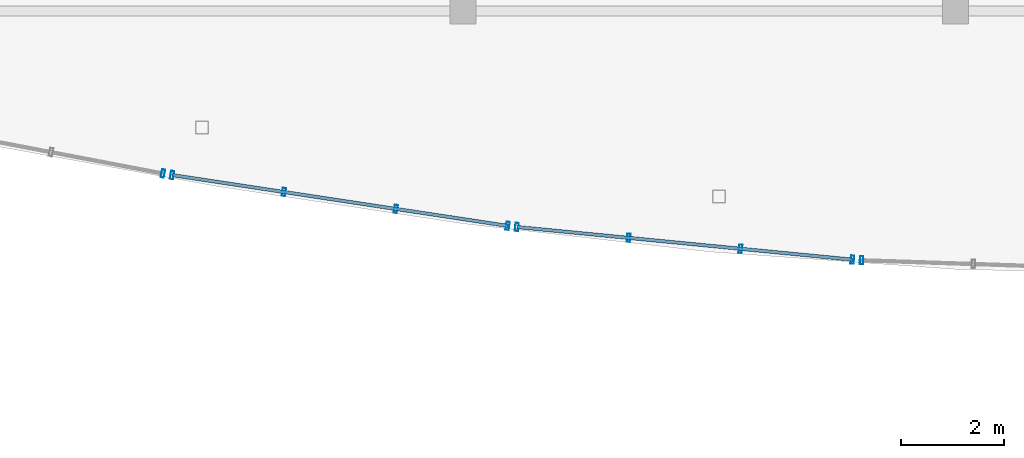
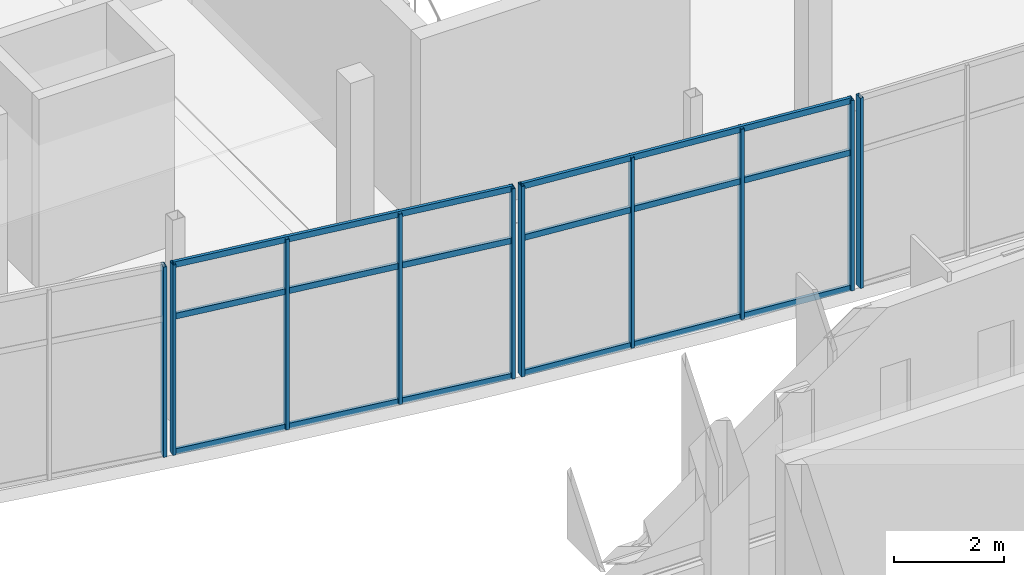
# One storey, part 42 of 114: 16 members, 4 elements without a shape of their own.
"""IFC4 building model written with IfcOpenShell, lengths in metres."""

from ifc_helpers import new_model, si_unit, direction, frame, origin, origin_2d, place, context, subcontext, project, spatial, hollow_rectangle, extrude, material, layer, layer_set, material_profile, profile_set, type_object, element, aggregate, save


model = new_model("IFC4")

# Units and contexts
model_context = context("Model", 3, precision=1e-05, world=origin(), true_north=direction((0.0, 1.0)))
body_context = subcontext(model_context, "Body", "Model", "MODEL_VIEW")
ifc_project = project(units=[si_unit("LENGTHUNIT", "METRE"), si_unit("AREAUNIT", "SQUARE_METRE"), si_unit("VOLUMEUNIT", "CUBIC_METRE"), si_unit("PLANEANGLEUNIT", "RADIAN"), si_unit("MASSUNIT", "GRAM", prefix="KILO")], contexts=[model_context])

# Site, building, storey
site_placement = place(None, origin())
site = spatial("IfcSite", under=ifc_project, at=site_placement, CompositionType="ELEMENT")
building_placement = place(site_placement, origin())
building = spatial("IfcBuilding", under=site, at=building_placement, Name="Chalmorin Arch Market", CompositionType="ELEMENT")
storey_placement = place(building_placement, frame((0.0, 0.0, 9.60009765625)))
storey = spatial("IfcBuildingStorey", under=building, at=storey_placement, Name="L02", CompositionType="ELEMENT", Elevation=9.60009765625)

# Curtain wall, member
ifc_material = material(Name="Aluminium 6063-T6", Category="aluminium")
ifc_layer_1 = layer(ifc_material, 0.159912109375)
ifc_layer_set_1 = layer_set([ifc_layer_1], Name="Aluminium 6063-T6")
curtain_wall_type_1 = type_object("IfcCurtainWallType", Name="CulinaryStudioCurtainWall-CW3-6660x4220", PredefinedType="NOTDEFINED", material=ifc_layer_set_1)
curtain_wall_1_placement = place(storey_placement, origin())
curtain_wall_1 = element("IfcCurtainWall", 1, at=curtain_wall_1_placement, inside=storey, type_object=curtain_wall_type_1, Name="CW-03-154", PredefinedType="NOTDEFINED")
ifc_material_profile_1 = material_profile(ifc_material, hollow_rectangle(XDim=0.06494140625, YDim=0.159912109375, WallThickness=0.00390625, at=origin_2d()), Name="ALU65X160X4")
ifc_profile_set_1 = profile_set([ifc_material_profile_1], Name="Aluminium 6063-T6")
member_type_1 = type_object("IfcMemberType", Name="CurtainWallMullion-65x160", PredefinedType="MULLION", material=ifc_profile_set_1)
member_1_placement = place(storey_placement, frame((61.3515625, 68.8330078125, 0.0), z_axis=(0.0, 0.0, 1.0), x_axis=(0.981627183448, -0.190808995377, 0.0)))
member_1 = element("IfcMember", 2, at=member_1_placement, type_object=member_type_1, Name="ML-154-04", PredefinedType="MULLION", context=body_context, shape_type="SweptSolid", body=[
    extrude(hollow_rectangle(XDim=0.06494140625, YDim=0.159912109375, WallThickness=0.00390625, at=origin_2d()), origin(), (0.0, 0.0, 1.0), 4.219970703125),
])
aggregate(curtain_wall_1, [member_1])

# Curtain wall, members
ifc_layer_2 = layer(ifc_material, 0.159912109375)
ifc_layer_set_2 = layer_set([ifc_layer_2], Name="Aluminium 6063-T6")
curtain_wall_type_2 = type_object("IfcCurtainWallType", Name="CulinaryStudioCurtainWall-CW3-6620x4220", PredefinedType="NOTDEFINED", material=ifc_layer_set_2)
curtain_wall_2_placement = place(storey_placement, origin())
curtain_wall_2 = element("IfcCurtainWall", 3, at=curtain_wall_2_placement, inside=storey, type_object=curtain_wall_type_2, Name="CW-03-157", PredefinedType="NOTDEFINED")
member_2_placement = place(storey_placement, frame((61.529052734375, 68.802490234375, 0.0), z_axis=(0.0, 0.0, 1.0), x_axis=(0.987688340595, -0.15643446504, 0.0)))
member_2 = element("IfcMember", 4, at=member_2_placement, type_object=member_type_1, Name="ML-157-01", PredefinedType="MULLION", context=body_context, shape_type="SweptSolid", body=[
    extrude(hollow_rectangle(XDim=0.06494140625, YDim=0.159912109375, WallThickness=0.00390625, at=origin_2d()), origin(), (0.0, 0.0, 1.0), 4.219970703125),
])
member_3_placement = place(storey_placement, frame((63.709716796875, 68.472412109375, 0.0), z_axis=(0.0, 0.0, 1.0), x_axis=(0.987688340595, -0.15643446504, 0.0)))
member_3 = element("IfcMember", 5, at=member_3_placement, type_object=member_type_1, Name="ML-157-02", PredefinedType="MULLION", context=body_context, shape_type="SweptSolid", body=[
    extrude(hollow_rectangle(XDim=0.06494140625, YDim=0.159912109375, WallThickness=0.00390625, at=origin_2d()), origin(), (0.0, 0.0, 1.0), 4.219970703125),
])
member_4_placement = place(storey_placement, frame((65.890380859375, 68.142578125, 0.0), z_axis=(0.0, 0.0, 1.0), x_axis=(0.987688340595, -0.15643446504, 0.0)))
member_4 = element("IfcMember", 6, at=member_4_placement, type_object=member_type_1, Name="ML-157-03", PredefinedType="MULLION", context=body_context, shape_type="SweptSolid", body=[
    extrude(hollow_rectangle(XDim=0.06494140625, YDim=0.159912109375, WallThickness=0.00390625, at=origin_2d()), origin(), (0.0, 0.0, 1.0), 4.219970703125),
])
member_5_placement = place(storey_placement, frame((68.071044921875, 67.8125, 0.0), z_axis=(0.0, 0.0, 1.0), x_axis=(0.987688340595, -0.15643446504, 0.0)))
member_5 = element("IfcMember", 7, at=member_5_placement, type_object=member_type_1, Name="ML-157-04", PredefinedType="MULLION", context=body_context, shape_type="SweptSolid", body=[
    extrude(hollow_rectangle(XDim=0.06494140625, YDim=0.159912109375, WallThickness=0.00390625, at=origin_2d()), origin(), (0.0, 0.0, 1.0), 4.219970703125),
])

ifc_layer_3 = layer(ifc_material, 0.159912109375)
ifc_layer_set_3 = layer_set([ifc_layer_3], Name="Aluminium 6063-T6")
curtain_wall_type_3 = type_object("IfcCurtainWallType", Name="CulinaryStudioCurtainWall-CW3-6570x4220", PredefinedType="NOTDEFINED", material=ifc_layer_set_3)
curtain_wall_3_placement = place(storey_placement, origin())
curtain_wall_3 = element("IfcCurtainWall", 8, at=curtain_wall_3_placement, inside=storey, type_object=curtain_wall_type_3, Name="CW-03-160", PredefinedType="NOTDEFINED")
member_6_placement = place(storey_placement, frame((68.24951171875, 67.790283203125, 0.0), z_axis=(0.0, 0.0, 1.0), x_axis=(0.994521895368, -0.104528463268, 0.0)))
member_6 = element("IfcMember", 9, at=member_6_placement, type_object=member_type_1, Name="ML-160-01", PredefinedType="MULLION", context=body_context, shape_type="SweptSolid", body=[
    extrude(hollow_rectangle(XDim=0.06494140625, YDim=0.159912109375, WallThickness=0.00390625, at=origin_2d()), origin(), (0.0, 0.0, 1.0), 4.219970703125),
])
member_7_placement = place(storey_placement, frame((70.429931640625, 67.578125, 0.0), z_axis=(0.0, 0.0, 1.0), x_axis=(0.994521895368, -0.104528463268, 0.0)))
member_7 = element("IfcMember", 10, at=member_7_placement, type_object=member_type_1, Name="ML-160-02", PredefinedType="MULLION", context=body_context, shape_type="SweptSolid", body=[
    extrude(hollow_rectangle(XDim=0.06494140625, YDim=0.159912109375, WallThickness=0.00390625, at=origin_2d()), origin(), (0.0, 0.0, 1.0), 4.219970703125),
])
member_8_placement = place(storey_placement, frame((72.610107421875, 67.365966796875, 0.0), z_axis=(0.0, 0.0, 1.0), x_axis=(0.994521895368, -0.104528463268, 0.0)))
member_8 = element("IfcMember", 11, at=member_8_placement, type_object=member_type_1, Name="ML-160-03", PredefinedType="MULLION", context=body_context, shape_type="SweptSolid", body=[
    extrude(hollow_rectangle(XDim=0.06494140625, YDim=0.159912109375, WallThickness=0.00390625, at=origin_2d()), origin(), (0.0, 0.0, 1.0), 4.219970703125),
])
member_9_placement = place(storey_placement, frame((74.790283203125, 67.15380859375, 0.0), z_axis=(0.0, 0.0, 1.0), x_axis=(0.994521895368, -0.104528463268, 0.0)))
member_9 = element("IfcMember", 12, at=member_9_placement, type_object=member_type_1, Name="ML-160-04", PredefinedType="MULLION", context=body_context, shape_type="SweptSolid", body=[
    extrude(hollow_rectangle(XDim=0.06494140625, YDim=0.159912109375, WallThickness=0.00390625, at=origin_2d()), origin(), (0.0, 0.0, 1.0), 4.219970703125),
])

# Curtain wall, member
ifc_layer_4 = layer(ifc_material, 0.159912109375)
ifc_layer_set_4 = layer_set([ifc_layer_4], Name="Aluminium 6063-T6")
curtain_wall_type_4 = type_object("IfcCurtainWallType", Name="CulinaryStudioCurtainWall-CW3-6540x4220", PredefinedType="NOTDEFINED", material=ifc_layer_set_4)
curtain_wall_4_placement = place(storey_placement, origin())
curtain_wall_4 = element("IfcCurtainWall", 13, at=curtain_wall_4_placement, inside=storey, type_object=curtain_wall_type_4, Name="CW-03-163", PredefinedType="NOTDEFINED")
member_10_placement = place(storey_placement, frame((74.969970703125, 67.14208984375, 0.0), z_axis=(0.0, 0.0, 1.0), x_axis=(0.999390827019, -0.034899496703, 0.0)))
member_10 = element("IfcMember", 14, at=member_10_placement, type_object=member_type_1, Name="ML-163-01", PredefinedType="MULLION", context=body_context, shape_type="SweptSolid", body=[
    extrude(hollow_rectangle(XDim=0.06494140625, YDim=0.159912109375, WallThickness=0.00390625, at=origin_2d()), origin(), (0.0, 0.0, 1.0), 4.219970703125),
])
aggregate(curtain_wall_4, [member_10])

# Member
ifc_material_profile_2 = material_profile(ifc_material, hollow_rectangle(XDim=0.06494140625, YDim=0.1298828125, WallThickness=0.00390625, at=origin_2d()), Name="ALU65X130X4")
ifc_profile_set_2 = profile_set([ifc_material_profile_2], Name="Aluminium 6063-T6")
member_type_2 = type_object("IfcMemberType", Name="CurtainWallTransom-65x130", PredefinedType="USERDEFINED", material=ifc_profile_set_2)
member_11_placement = place(storey_placement, frame((61.529052734375, 68.802490234375, 0.034912109375), z_axis=(0.988742814157, -0.149625022817, 0.0), x_axis=(0.149625022817, 0.988742814157, 0.0)))
member_11 = element("IfcMember", 15, at=member_11_placement, type_object=member_type_2, Name="TR-157-01", ObjectType="TRANSOM", PredefinedType="USERDEFINED", context=body_context, shape_type="SweptSolid", body=[
    extrude(hollow_rectangle(XDim=0.06494140625, YDim=0.1298828125, WallThickness=0.00390625, at=origin_2d()), origin(), (0.0, 0.0, 1.0), 6.616455078125),
])

member_12_placement = place(storey_placement, frame((61.529052734375, 68.802490234375, 3.038330078125), z_axis=(0.988742814157, -0.149625022817, 0.0), x_axis=(0.149625022817, 0.988742814157, 0.0)))
member_12 = element("IfcMember", 16, at=member_12_placement, type_object=member_type_2, Name="TR-157-02", ObjectType="TRANSOM", PredefinedType="USERDEFINED", context=body_context, shape_type="SweptSolid", body=[
    extrude(hollow_rectangle(XDim=0.06494140625, YDim=0.1298828125, WallThickness=0.00390625, at=origin_2d()), origin(), (0.0, 0.0, 1.0), 6.616455078125),
])

member_13_placement = place(storey_placement, frame((61.529052734375, 68.802490234375, 4.184814453125), z_axis=(0.988742814157, -0.149625022817, 0.0), x_axis=(0.149625022817, 0.988742814157, 0.0)))
member_13 = element("IfcMember", 17, at=member_13_placement, type_object=member_type_2, Name="TR-157-03", ObjectType="TRANSOM", PredefinedType="USERDEFINED", context=body_context, shape_type="SweptSolid", body=[
    extrude(hollow_rectangle(XDim=0.06494140625, YDim=0.1298828125, WallThickness=0.00390625, at=origin_2d()), origin(), (0.0, 0.0, 1.0), 6.616455078125),
])

aggregate(curtain_wall_2, [member_2, member_3, member_4, member_5, member_11, member_12, member_13])

member_14_placement = place(storey_placement, frame((68.24951171875, 67.790283203125, 0.034912109375), z_axis=(0.995298859057, -0.096851335357, 0.0), x_axis=(0.096851335357, 0.995298859057, 0.0)))
member_14 = element("IfcMember", 18, at=member_14_placement, type_object=member_type_2, Name="TR-160-01", ObjectType="TRANSOM", PredefinedType="USERDEFINED", context=body_context, shape_type="SweptSolid", body=[
    extrude(hollow_rectangle(XDim=0.06494140625, YDim=0.1298828125, WallThickness=0.00390625, at=origin_2d()), origin(), (0.0, 0.0, 1.0), 6.57177734375),
])

member_15_placement = place(storey_placement, frame((68.24951171875, 67.790283203125, 3.038330078125), z_axis=(0.995298859057, -0.096851335357, 0.0), x_axis=(0.096851335357, 0.995298859057, 0.0)))
member_15 = element("IfcMember", 19, at=member_15_placement, type_object=member_type_2, Name="TR-160-02", ObjectType="TRANSOM", PredefinedType="USERDEFINED", context=body_context, shape_type="SweptSolid", body=[
    extrude(hollow_rectangle(XDim=0.06494140625, YDim=0.1298828125, WallThickness=0.00390625, at=origin_2d()), origin(), (0.0, 0.0, 1.0), 6.57177734375),
])

member_16_placement = place(storey_placement, frame((68.24951171875, 67.790283203125, 4.184814453125), z_axis=(0.995298859057, -0.096851335357, 0.0), x_axis=(0.096851335357, 0.995298859057, 0.0)))
member_16 = element("IfcMember", 20, at=member_16_placement, type_object=member_type_2, Name="TR-160-03", ObjectType="TRANSOM", PredefinedType="USERDEFINED", context=body_context, shape_type="SweptSolid", body=[
    extrude(hollow_rectangle(XDim=0.06494140625, YDim=0.1298828125, WallThickness=0.00390625, at=origin_2d()), origin(), (0.0, 0.0, 1.0), 6.57177734375),
])

aggregate(curtain_wall_3, [member_6, member_7, member_8, member_9, member_14, member_15, member_16])

save(model, "model.ifc")
